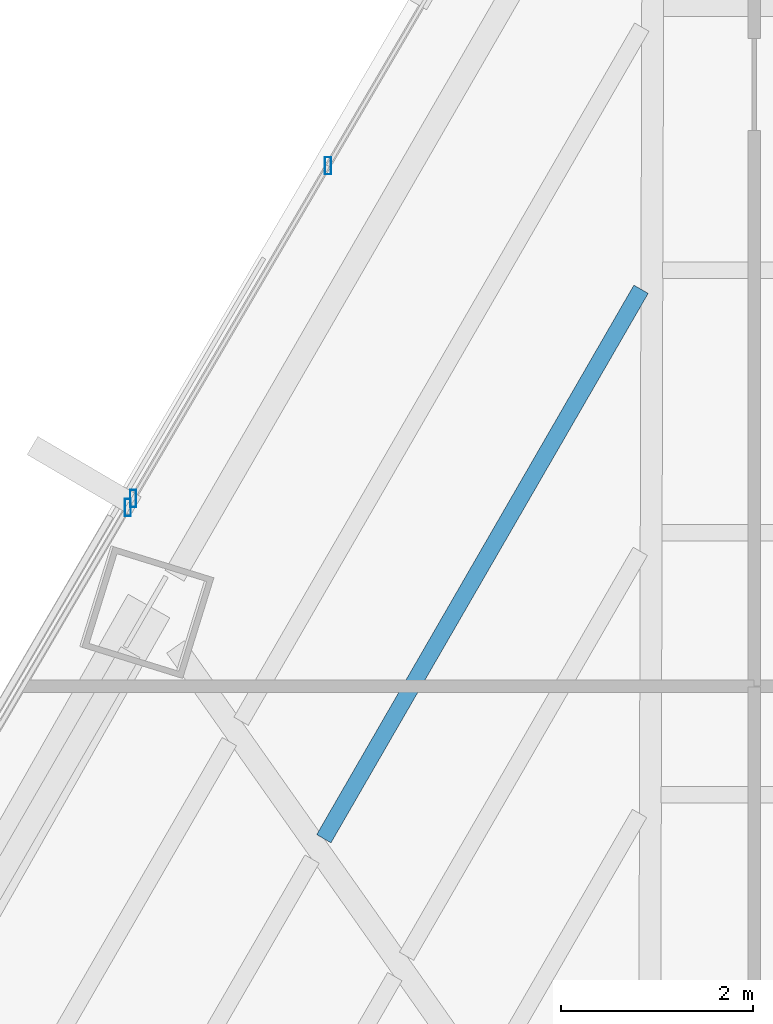
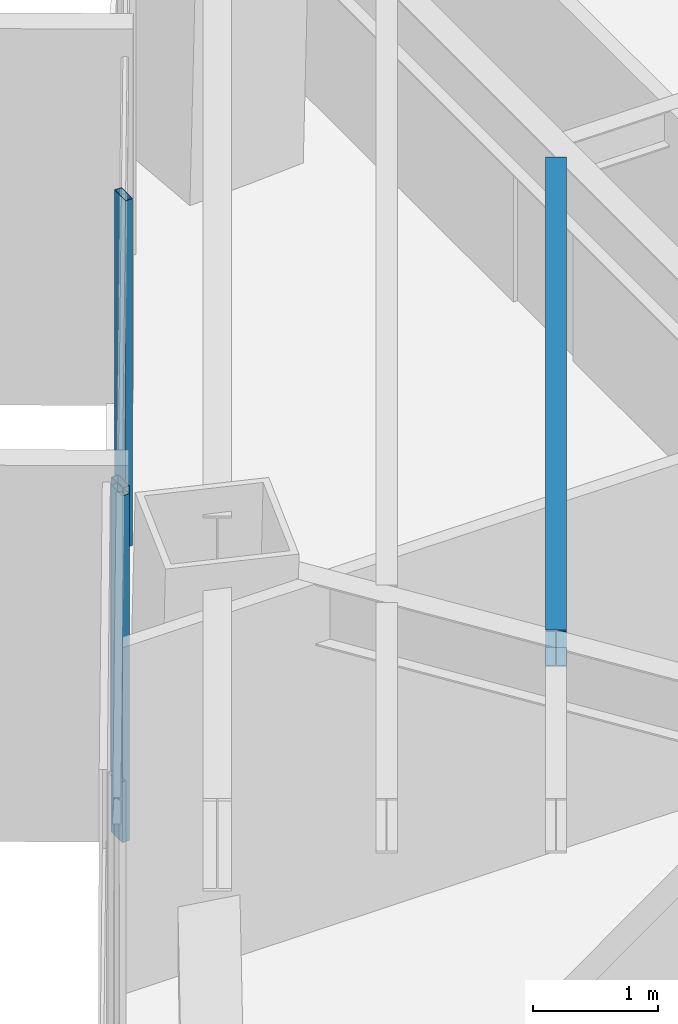
# One storey, part 24 of 37: 3 members, 1 beam, 2 elements without a shape of their own.
"""IFC4 building model written with IfcOpenShell, lengths in metres."""

import ifcopenshell
import ifcopenshell.guid

model = None  # the IFC model being written
_history = None  # IfcOwnerHistory: only IFC2X3 demands one
_inside = {}  # id of a spatial element -> (the spatial element, [elements in it])
_under = {}  # id of a project, library or spatial element -> (it, [spatial elements below it])
_declared = {}  # id of a project -> (the project, [libraries it declares])
_typed = {}  # id of a type object -> (the type object, [elements of that type])
_made_of = {}  # id of a material, layer set ... -> (it, [elements and type objects made of it])


def new_model(schema):
    """Start an empty IFC model of exactly this schema.

    Asked for "IFC4X3", IfcOpenShell would pick the latest addendum, in which some entities
    have other attributes; the version numbers below select the first issue.
    IFC2X3 requires an IfcOwnerHistory on every rooted entity: one is made here for all.
    """
    global model, _history
    if schema == "IFC4X3":
        model = ifcopenshell.file(schema_version=(4, 3, 0, 0))
    else:
        model = ifcopenshell.file(schema=schema)
    _inside.clear()
    _under.clear()
    _declared.clear()
    _typed.clear()
    _made_of.clear()
    _history = None
    if model.schema == "IFC2X3":
        org = make("IfcOrganization", Name="unknown")
        user = make(
            "IfcPersonAndOrganization",
            ThePerson=make("IfcPerson", FamilyName="unknown"),
            TheOrganization=org,
        )
        app = make(
            "IfcApplication",
            ApplicationDeveloper=org,
            Version="unknown",
            ApplicationFullName="unknown",
            ApplicationIdentifier="unknown",
        )
        _history = make(
            "IfcOwnerHistory",
            OwningUser=user,
            OwningApplication=app,
            ChangeAction="ADDED",
            CreationDate=0,
        )
    return model


def make(cls, **values):
    """One entity of the class cls with the attributes given. An attribute that is None is left unset."""
    return model.create_entity(
        cls, **{name: value for name, value in values.items() if value is not None}
    )


def rooted(cls, **values):
    """An entity with a GlobalId (a new one), such as an element, a storey or a relation."""
    return make(cls, GlobalId=ifcopenshell.guid.new(), OwnerHistory=_history, **values)


def si_unit(unit_type, name, prefix=None):
    """IfcSIUnit, for example si_unit("LENGTHUNIT", "METRE", prefix="MILLI")."""
    return make("IfcSIUnit", UnitType=unit_type, Prefix=prefix, Name=name)


def assignment(units):
    """IfcUnitAssignment: the units of a project."""
    return None if units is None else make("IfcUnitAssignment", Units=units)


def point(xyz):
    """IfcCartesianPoint."""
    return None if xyz is None else make("IfcCartesianPoint", Coordinates=xyz)


def direction(xyz):
    """IfcDirection."""
    return None if xyz is None else make("IfcDirection", DirectionRatios=xyz)


def frame(location, z_axis=None, x_axis=None):
    """IfcAxis2Placement3D, a coordinate frame: its origin and axes. An axis left out is left unset."""
    return make(
        "IfcAxis2Placement3D",
        Location=point(location),
        Axis=direction(z_axis),
        RefDirection=direction(x_axis),
    )


def frame_2d(location, x_axis=None):
    """IfcAxis2Placement2D, a coordinate frame in the plane: its origin and x axis."""
    return make(
        "IfcAxis2Placement2D", Location=point(location), RefDirection=direction(x_axis)
    )


def origin():
    """The frame at (0, 0, 0) with its axes left unset."""
    return frame((0.0, 0.0, 0.0))


def origin_2d():
    """The frame at (0, 0) in the plane with its x axis left unset."""
    return frame_2d((0.0, 0.0))


def place(relative_to, where):
    """IfcLocalPlacement: puts the frame where relative to a parent placement (None: the world)."""
    return make(
        "IfcLocalPlacement", PlacementRelTo=relative_to, RelativePlacement=where
    )


def context(
    kind, dimensions, precision=None, world=None, true_north=None, identifier=None
):
    """IfcGeometricRepresentationContext, for example the 3D "Model" context."""
    return make(
        "IfcGeometricRepresentationContext",
        ContextIdentifier=identifier,
        ContextType=kind,
        CoordinateSpaceDimension=dimensions,
        Precision=precision,
        WorldCoordinateSystem=world,
        TrueNorth=true_north,
    )


def subcontext(parent, identifier, kind, view, scale=None):
    """IfcGeometricRepresentationSubContext, for example "Body" below "Model"."""
    return make(
        "IfcGeometricRepresentationSubContext",
        ContextIdentifier=identifier,
        ContextType=kind,
        ParentContext=parent,
        TargetScale=scale,
        TargetView=view,
    )


def project(units=None, contexts=None):
    """IfcProject with its units and contexts."""
    return rooted(
        "IfcProject",
        Name="project",
        RepresentationContexts=contexts,
        UnitsInContext=assignment(units),
    )


def spatial(cls, under=None, at=None, **own):
    """A site, building, storey or space (cls), placed at a placement, below another one or the project."""
    s = rooted(cls, ObjectPlacement=at, **own)
    if under is not None:
        _under.setdefault(under.id(), (under, []))[1].append(s)
    return s


def profile(cls, at=None, kind="AREA", **sizes):
    """A parametric profile (cls). Its sizes go by their IFC names, for example OverallWidth=200.0."""
    return make(cls, ProfileType=kind, Position=at, **sizes)


def hollow_rectangle(**sizes):
    """IfcRectangleHollowProfileDef."""
    return profile("IfcRectangleHollowProfileDef", **sizes)


def i_section(**sizes):
    """IfcIShapeProfileDef."""
    return profile("IfcIShapeProfileDef", **sizes)


def extrude(swept, where, along, depth):
    """IfcExtrudedAreaSolid: the profile swept, set in the frame where, extruded along a direction by depth."""
    return make(
        "IfcExtrudedAreaSolid",
        SweptArea=swept,
        Position=where,
        ExtrudedDirection=direction(along),
        Depth=depth,
    )


def shape(context_of_items, identifier, shape_type, items):
    """IfcShapeRepresentation: the items that make up one representation, for example the "Body"."""
    return make(
        "IfcShapeRepresentation",
        ContextOfItems=context_of_items,
        RepresentationIdentifier=identifier,
        RepresentationType=shape_type,
        Items=items,
    )


def source(mapping_origin, context_of_items, identifier, shape_type, items):
    """IfcRepresentationMap: a shape defined once, which mapped items show again and again."""
    return make(
        "IfcRepresentationMap",
        MappingOrigin=mapping_origin,
        MappedRepresentation=shape(context_of_items, identifier, shape_type, items),
    )


def transform(
    local_origin,
    x_axis=None,
    y_axis=None,
    z_axis=None,
    scale=None,
    scale2=None,
    scale3=None,
    uniform=True,
):
    """IfcCartesianTransformationOperator3D, or its non-uniform kind. x_axis, y_axis, z_axis: its Axis1, 2, 3."""
    if uniform:
        return make(
            "IfcCartesianTransformationOperator3D",
            Axis1=direction(x_axis),
            Axis2=direction(y_axis),
            LocalOrigin=point(local_origin),
            Scale=scale,
            Axis3=direction(z_axis),
        )
    return make(
        "IfcCartesianTransformationOperator3DnonUniform",
        Axis1=direction(x_axis),
        Axis2=direction(y_axis),
        LocalOrigin=point(local_origin),
        Scale=scale,
        Axis3=direction(z_axis),
        Scale2=scale2,
        Scale3=scale3,
    )


def mapped(mapping_source, mapping_target):
    """IfcMappedItem: shows the shape of a source again, moved by a transform."""
    return make(
        "IfcMappedItem", MappingSource=mapping_source, MappingTarget=mapping_target
    )


def material(Name=None, Category=None):
    """IfcMaterial."""
    return make("IfcMaterial", Name=Name, Category=Category)


def material_profile(
    of_material, cross_section, Name=None, Category=None, Priority=None
):
    """IfcMaterialProfile: a cross section and its material."""
    return make(
        "IfcMaterialProfile",
        Name=Name,
        Material=of_material,
        Profile=cross_section,
        Priority=Priority,
        Category=Category,
    )


def profile_set(profiles, Name=None, composite=None):
    """IfcMaterialProfileSet."""
    return make(
        "IfcMaterialProfileSet",
        Name=Name,
        MaterialProfiles=profiles,
        CompositeProfile=composite,
    )


def made_of(thing, what):
    """Note that an element or type object is made of a material, layer set ...; save() writes the relation."""
    if what is not None:
        _made_of.setdefault(what.id(), (what, []))[1].append(thing)
    return thing


def type_object(cls, material=None, **own):
    """A type object (cls), such as IfcWallType, which elements share."""
    return made_of(rooted(cls, **own), material)


def type_shapes(of_type, sources):
    """Give a type object the sources (RepresentationMaps) that its elements show as mapped items."""
    of_type.RepresentationMaps = sources


def element(
    cls,
    number,
    at=None,
    inside=None,
    cuts=None,
    type_object=None,
    material=None,
    context=None,
    identifier="Body",
    shape_type=None,
    held_by="IfcProductDefinitionShape",
    body=None,
    shapes=None,
    **own,
):
    """One element of the class cls, such as IfcWall. Its Tag is "e" and its number.

    at: its placement. inside: the storey or other place that contains it. cuts: it is an
    opening in that element (IfcRelVoidsElement). A single representation is given by context,
    identifier, shape_type and body (its items); several are given by shapes. held_by: the class
    of the entity that holds the representations. save() writes the other relations.
    """
    e = rooted(cls, Tag="e%d" % number, ObjectPlacement=at, **own)
    if body is not None:
        shapes = [shape(context, identifier, shape_type, body)]
    if shapes is not None:
        e.Representation = make(held_by, Representations=shapes)
    if inside is not None:
        _inside.setdefault(inside.id(), (inside, []))[1].append(e)
    if cuts is not None:
        rooted(
            "IfcRelVoidsElement", RelatingBuildingElement=cuts, RelatedOpeningElement=e
        )
    if type_object is not None:
        _typed.setdefault(type_object.id(), (type_object, []))[1].append(e)
    return made_of(e, material)


def aggregate(whole, parts):
    """IfcRelAggregates: a whole, such as a stair, and the parts it consists of."""
    return rooted("IfcRelAggregates", RelatingObject=whole, RelatedObjects=parts)


def save(model, path):
    """Write the relations noted so far, then the file.

    IfcRelAggregates (storeys below a building ...), IfcRelContainedInSpatialStructure (elements
    in a storey), IfcRelDefinesByType, IfcRelAssociatesMaterial and IfcRelDeclares: one each for
    every whole, place, type object, material and project.
    """
    for whole, parts in _under.values():
        aggregate(whole, parts)
    for where, things in _inside.values():
        rooted(
            "IfcRelContainedInSpatialStructure",
            RelatedElements=things,
            RelatingStructure=where,
        )
    for kind, things in _typed.values():
        rooted("IfcRelDefinesByType", RelatedObjects=things, RelatingType=kind)
    for what, things in _made_of.values():
        rooted("IfcRelAssociatesMaterial", RelatedObjects=things, RelatingMaterial=what)
    for by, libraries in _declared.values():
        rooted("IfcRelDeclares", RelatingContext=by, RelatedDefinitions=libraries)
    model.write(path)


model = new_model("IFC4")

# Units and contexts
model_context = context("Model", 3, precision=1e-05, world=origin(), true_north=direction((0.0, 1.0)))
body_context = subcontext(model_context, "Body", "Model", "MODEL_VIEW")
ifc_project = project(units=[si_unit("LENGTHUNIT", "METRE"), si_unit("AREAUNIT", "SQUARE_METRE"), si_unit("VOLUMEUNIT", "CUBIC_METRE"), si_unit("PLANEANGLEUNIT", "RADIAN"), si_unit("MASSUNIT", "GRAM", prefix="KILO")], contexts=[model_context])

# Site, building, storey
site_placement = place(None, origin())
site = spatial("IfcSite", under=ifc_project, at=site_placement, CompositionType="ELEMENT")
building_placement = place(site_placement, origin())
building = spatial("IfcBuilding", under=site, at=building_placement, Name="Caelisora Broadcast Tower", CompositionType="ELEMENT")
storey_placement = place(building_placement, frame((0.0, 0.0, 101.75)))
storey = spatial("IfcBuildingStorey", under=building, at=storey_placement, Name="L26", CompositionType="ELEMENT", Elevation=101.75)

# Beam
ifc_material_1 = material(Name="Steel Grade 350 (AS/NZS 3679.1)", Category="steel")
ifc_material_profile_1 = material_profile(ifc_material_1, i_section(OverallWidth=0.172119140625, OverallDepth=0.358642578125, WebThickness=0.008056640625, FlangeThickness=0.012939453125, at=origin_2d()), Name="Steel Grade 350 (AS/NZS 3679.1)")
ifc_profile_set_1 = profile_set([ifc_material_profile_1], Name="Steel Grade 350 (AS/NZS 3679.1)")
beam_type = type_object("IfcBeamType", Name="SB02", PredefinedType="JOIST", material=ifc_profile_set_1)
shared_shape_1 = source(origin(), body_context, "Body", "SweptSolid", [
    extrude(i_section(OverallWidth=0.172119140625, OverallDepth=0.358642578125, WebThickness=0.008056640625, FlangeThickness=0.012939453125, at=origin_2d()), origin(), (0.0, 0.0, 1.0), 6.6201171875),
])
type_shapes(beam_type, [shared_shape_1])
beam_placement = place(storey_placement, frame((30.418212890625, 40.743408203125, 3.220703125), z_axis=(-0.500002313088, -0.866024068318, 0.0), x_axis=(0.866024068318, -0.500002313088, 0.0)))
element("IfcBeam", 1, at=beam_placement, inside=storey, type_object=beam_type, Name="L26 beam SB02", PredefinedType="JOIST", context=body_context, shape_type="MappedRepresentation", body=[
    mapped(shared_shape_1, transform((0.0, 0.0, 0.0), scale=1.0)),
])

# Curtain wall, member
ifc_material_2 = material(Name="Unitised Aluminium Insulated Shadow-Box Spandrel Curtain Wall", Category="aluminium")
curtain_wall_type_1 = type_object("IfcCurtainWallType", Name="CW-SP1", PredefinedType="NOTDEFINED", material=ifc_material_2)
curtain_wall_1_placement = place(storey_placement, origin())
curtain_wall_1 = element("IfcCurtainWall", 2, at=curtain_wall_1_placement, inside=storey, type_object=curtain_wall_type_1, Name="L26 curtain wall CW-SP1", PredefinedType="NOTDEFINED")
ifc_material_3 = material(Name="Aluminium 6063-T6 Anodised Terracotta Bronze", Category="aluminium")
ifc_material_profile_2 = material_profile(ifc_material_3, hollow_rectangle(XDim=0.06494140625, YDim=0.179931640625, WallThickness=0.00341796875, at=origin_2d()), Name="Aluminium 6063-T6 Anodised Terracotta Bronze")
ifc_profile_set_2 = profile_set([ifc_material_profile_2], Name="Aluminium 6063-T6 Anodised Terracotta Bronze")
member_type = type_object("IfcMemberType", Name="CWM-02", PredefinedType="MULLION", material=ifc_profile_set_2)
shared_shape_2 = source(origin(), body_context, "Body", "SweptSolid", [
    extrude(hollow_rectangle(XDim=0.06494140625, YDim=0.179931640625, WallThickness=0.00341796875, at=origin_2d()), origin(), (0.0, 0.0, 1.0), 3.39990234375),
])
type_shapes(member_type, [shared_shape_2])
member_1_placement = place(storey_placement, frame((25.06298828125, 38.46630859375, 0.0), z_axis=(0.0, 0.0, 1.0), x_axis=(1.0, 0.0, 0.0)))
member_1 = element("IfcMember", 3, at=member_1_placement, type_object=member_type, Name="L26-CW-B10 mullion #3", PredefinedType="MULLION", context=body_context, shape_type="MappedRepresentation", body=[
    mapped(shared_shape_2, transform((0.0, 0.0, 0.0), scale=1.0)),
])
aggregate(curtain_wall_1, [member_1])

# Curtain wall, members
ifc_material_4 = material(Name="Unitised Aluminium and Low-E Glass Curtain Wall", Category="glass")
curtain_wall_type_2 = type_object("IfcCurtainWallType", Name="CW-Z2", PredefinedType="NOTDEFINED", material=ifc_material_4)
curtain_wall_2_placement = place(storey_placement, origin())
curtain_wall_2 = element("IfcCurtainWall", 4, at=curtain_wall_2_placement, inside=storey, type_object=curtain_wall_type_2, Name="L26 curtain wall CW-Z2", PredefinedType="NOTDEFINED")
member_2_placement = place(storey_placement, frame((25.11865234375, 38.561279296875, 0.0), z_axis=(0.0, 0.0, 1.0), x_axis=(1.0, 0.0, 0.0)))
member_2 = element("IfcMember", 5, at=member_2_placement, type_object=member_type, Name="L26-CW-B11 mullion #0", PredefinedType="MULLION", context=body_context, shape_type="MappedRepresentation", body=[
    mapped(shared_shape_2, transform((0.0, 0.0, 0.0), scale=1.0)),
])
member_3_placement = place(storey_placement, frame((27.15185546875, 42.031982421875, 0.0), z_axis=(0.0, 0.0, 1.0), x_axis=(1.0, 0.0, 0.0)))
member_3 = element("IfcMember", 6, at=member_3_placement, type_object=member_type, Name="L26-CW-B11 mullion #1", PredefinedType="MULLION", context=body_context, shape_type="MappedRepresentation", body=[
    mapped(shared_shape_2, transform((0.0, 0.0, 0.0), scale=1.0)),
])
aggregate(curtain_wall_2, [member_2, member_3])

save(model, "model.ifc")
